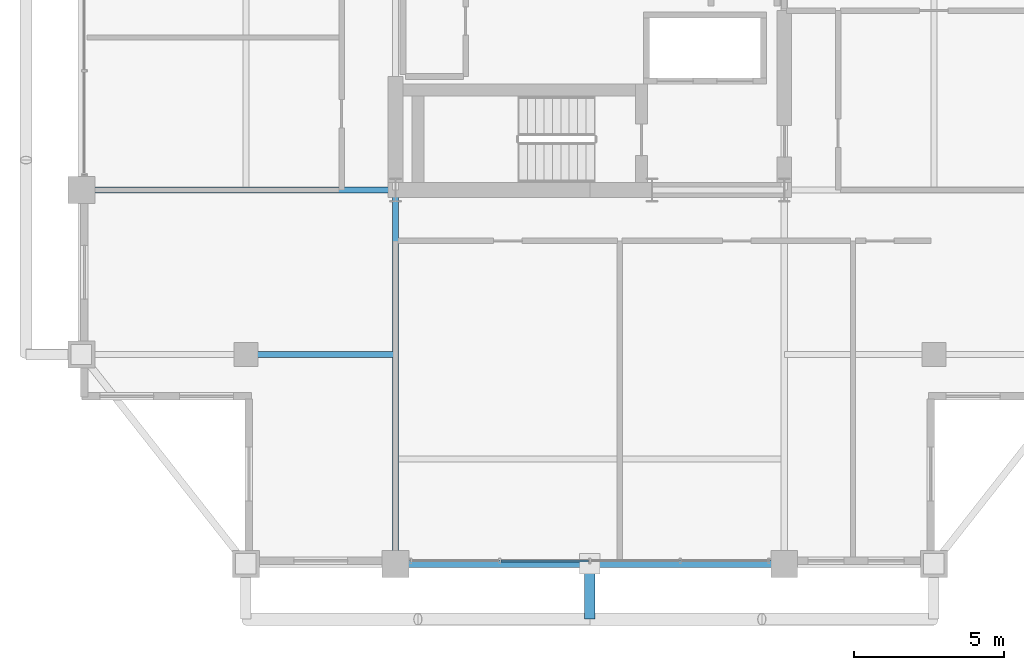
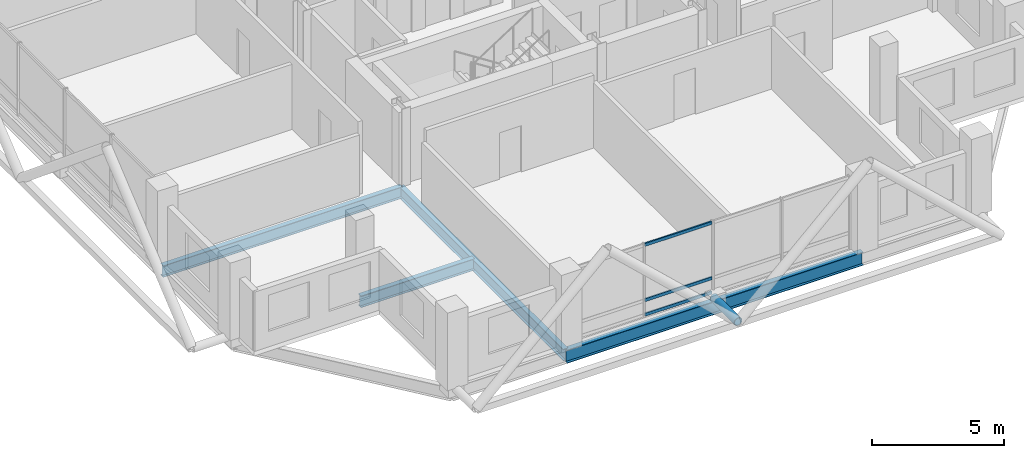
# One storey, part 4 of 24: 4 beams, 4 members, 1 element without a shape of its own.
"""IFC4 building model written with IfcOpenShell, lengths in metres."""

from ifc_helpers import new_model, si_unit, direction, frame, origin, origin_2d, place, context, subcontext, project, spatial, hollow_rectangle, hollow_circle, i_section, extrude, material, layer, layer_set, material_profile, profile_set, type_object, element, aggregate, save


model = new_model("IFC4")

# Units and contexts
model_context = context("Model", 3, precision=1e-05, world=origin(), true_north=direction((0.0, 1.0)))
body_context = subcontext(model_context, "Body", "Model", "MODEL_VIEW")
ifc_project = project(units=[si_unit("LENGTHUNIT", "METRE"), si_unit("AREAUNIT", "SQUARE_METRE"), si_unit("VOLUMEUNIT", "CUBIC_METRE"), si_unit("PLANEANGLEUNIT", "RADIAN"), si_unit("MASSUNIT", "GRAM", prefix="KILO")], contexts=[model_context])

# Site, building, storey
site_placement = place(None, origin())
site = spatial("IfcSite", under=ifc_project, at=site_placement, CompositionType="ELEMENT")
building_placement = place(site_placement, origin())
building = spatial("IfcBuilding", under=site, at=building_placement, Name="Barlavira Tower and Art Museum", CompositionType="ELEMENT")
storey_placement = place(building_placement, frame((0.0, 0.0, 272.699951171875)))
storey = spatial("IfcBuildingStorey", under=building, at=storey_placement, Name="L71", CompositionType="ELEMENT", Elevation=272.699951171875)

# Curtain wall, members
ifc_material_1 = material(Name="Low-iron coastal laminated glass", Category="glass")
ifc_layer = layer(ifc_material_1, 0.2099609375, Name="Low-iron coastal laminated glass")
ifc_layer_set = layer_set([ifc_layer], Name="Low-iron coastal laminated glass")
curtain_wall_type = type_object("IfcCurtainWallType", Name="Pale-Metal Unitised Curtain Wall Zone 4", PredefinedType="NOTDEFINED", material=ifc_layer_set)
curtain_wall_placement = place(storey_placement, origin())
curtain_wall = element("IfcCurtainWall", 1, at=curtain_wall_placement, inside=storey, type_object=curtain_wall_type, Name="L71 Curtain Wall CW4-L71-S-B2", PredefinedType="NOTDEFINED")
ifc_material_2 = material(Name="Pale anodised aluminium", Category="aluminium")
ifc_material_profile_1 = material_profile(ifc_material_2, hollow_rectangle(XDim=0.06494140625, YDim=0.139892578125, WallThickness=0.00390625, at=origin_2d()), Name="ALU-TRAN 65x140x4")
ifc_profile_set_1 = profile_set([ifc_material_profile_1], Name="Pale anodised aluminium")
member_type_1 = type_object("IfcMemberType", Name="Curtain Wall Pale-Metal Transom 65x140", PredefinedType="USERDEFINED", material=ifc_profile_set_1)
member_1_placement = place(storey_placement, frame((-2.969970703125, -19.89990234375, 0.070068359375), z_axis=(1.0, 0.0, 0.0), x_axis=(0.0, 1.0, 0.0)))
member_1 = element("IfcMember", 2, at=member_1_placement, type_object=member_type_1, Name="CW4-L71-S-B2 Transom 1.1", ObjectType="TRANSOM", PredefinedType="USERDEFINED", context=body_context, shape_type="SweptSolid", body=[
    extrude(hollow_rectangle(XDim=0.06494140625, YDim=0.139892578125, WallThickness=0.00390625, at=origin_2d()), origin(), (0.0, 0.0, 1.0), 2.925048828125),
])
member_2_placement = place(storey_placement, frame((-2.969970703125, -19.89990234375, 0.744140625), z_axis=(1.0, 0.0, 0.0), x_axis=(0.0, 1.0, 0.0)))
member_2 = element("IfcMember", 3, at=member_2_placement, type_object=member_type_1, Name="CW4-L71-S-B2 Transom 1.2", ObjectType="TRANSOM", PredefinedType="USERDEFINED", context=body_context, shape_type="SweptSolid", body=[
    extrude(hollow_rectangle(XDim=0.06494140625, YDim=0.139892578125, WallThickness=0.00390625, at=origin_2d()), origin(), (0.0, 0.0, 1.0), 2.925048828125),
])
member_3_placement = place(storey_placement, frame((-2.969970703125, -19.89990234375, 3.31005859375), z_axis=(1.0, 0.0, 0.0), x_axis=(0.0, 1.0, 0.0)))
member_3 = element("IfcMember", 4, at=member_3_placement, type_object=member_type_1, Name="CW4-L71-S-B2 Transom 1.3", ObjectType="TRANSOM", PredefinedType="USERDEFINED", context=body_context, shape_type="SweptSolid", body=[
    extrude(hollow_rectangle(XDim=0.06494140625, YDim=0.139892578125, WallThickness=0.00390625, at=origin_2d()), origin(), (0.0, 0.0, 1.0), 2.925048828125),
])
aggregate(curtain_wall, [member_1, member_2, member_3])

# Member
ifc_material_3 = material(Name="Steel S355", Category="steel")
ifc_material_profile_2 = material_profile(ifc_material_3, hollow_circle(Radius=0.177734375, WallThickness=0.01611328125, at=origin_2d()), Name="CHS 355.6x16.0")
ifc_profile_set_2 = profile_set([ifc_material_profile_2], Name="Steel S355")
member_type_2 = type_object("IfcMemberType", Name="Pale-Metal Exoskeleton Tie Strut CHS 356x16 Steel S355", PredefinedType="STRUT", material=ifc_profile_set_2)
member_4_placement = place(storey_placement, frame((0.0, -21.85009765625, -0.119873046875), z_axis=(0.0, 1.0, 0.0), x_axis=(-1.0, 0.0, 0.0)))
element("IfcMember", 5, at=member_4_placement, inside=storey, type_object=member_type_2, Name="L71 Exoskeleton Tie Strut S2", PredefinedType="STRUT", context=body_context, shape_type="SweptSolid", body=[
    extrude(hollow_circle(Radius=0.177734375, WallThickness=0.01611328125, at=origin_2d()), origin(), (0.0, 0.0, 1.0), 1.85009765625),
])

# Beams
ifc_material_profile_3 = material_profile(ifc_material_3, i_section(OverallWidth=0.22998046875, OverallDepth=0.616943359375, WebThickness=0.01318359375, FlangeThickness=0.022216796875, at=origin_2d()), Name="W610x140.0")
ifc_profile_set_3 = profile_set([ifc_material_profile_3], Name="Steel S355")
beam_type_1 = type_object("IfcBeamType", Name="Upper Shaft Spandrel Edge Beam W610x140 Steel S355", PredefinedType="SPANDREL", material=ifc_profile_set_3)
beam_1_placement = place(storey_placement, frame((-6.5, -20.0, -0.528564453125), z_axis=(1.0, 0.0, 0.0), x_axis=(0.0, 1.0, 0.0)))
element("IfcBeam", 6, at=beam_1_placement, inside=storey, type_object=beam_type_1, Name="L71 Spandrel 2", PredefinedType="SPANDREL", context=body_context, shape_type="SweptSolid", body=[
    extrude(i_section(OverallWidth=0.22998046875, OverallDepth=0.616943359375, WebThickness=0.01318359375, FlangeThickness=0.022216796875, at=origin_2d()), origin(), (0.0, 0.0, 1.0), 13.0),
])
ifc_material_profile_4 = material_profile(ifc_material_3, i_section(OverallWidth=0.2109375, OverallDepth=0.5390625, WebThickness=0.01171875, FlangeThickness=0.018798828125, at=origin_2d()), Name="W530x109.0")
ifc_profile_set_4 = profile_set([ifc_material_profile_4], Name="Steel S355")
beam_type_2 = type_object("IfcBeamType", Name="Zone 3-4 Primary Floor Girder W530x109 Steel S355", PredefinedType="BEAM", material=ifc_profile_set_4)
beam_2_placement = place(storey_placement, frame((-6.5, -20.0, -0.489501953125), z_axis=(0.0, 1.0, 0.0), x_axis=(-1.0, 0.0, 0.0)))
element("IfcBeam", 7, at=beam_2_placement, inside=storey, type_object=beam_type_2, Name="L71 Girder R-S1", PredefinedType="BEAM", context=body_context, shape_type="SweptSolid", body=[
    extrude(i_section(OverallWidth=0.2109375, OverallDepth=0.5390625, WebThickness=0.01171875, FlangeThickness=0.018798828125, at=origin_2d()), origin(), (0.0, 0.0, 1.0), 12.5),
])
beam_3_placement = place(storey_placement, frame((-17.0, -7.5, -0.489501953125), z_axis=(1.0, 0.0, 0.0), x_axis=(0.0, 1.0, 0.0)))
element("IfcBeam", 8, at=beam_3_placement, inside=storey, type_object=beam_type_2, Name="L71 Girder R-W1", PredefinedType="BEAM", context=body_context, shape_type="SweptSolid", body=[
    extrude(i_section(OverallWidth=0.2109375, OverallDepth=0.5390625, WebThickness=0.01171875, FlangeThickness=0.018798828125, at=origin_2d()), origin(), (0.0, 0.0, 1.0), 10.5),
])
beam_4_placement = place(storey_placement, frame((-11.5, -13.0, -0.489501953125), z_axis=(1.0, 0.0, 0.0), x_axis=(0.0, 1.0, 0.0)))
element("IfcBeam", 9, at=beam_4_placement, inside=storey, type_object=beam_type_2, Name="L71 Girder I-S2", PredefinedType="BEAM", context=body_context, shape_type="SweptSolid", body=[
    extrude(i_section(OverallWidth=0.2109375, OverallDepth=0.5390625, WebThickness=0.01171875, FlangeThickness=0.018798828125, at=origin_2d()), origin(), (0.0, 0.0, 1.0), 5.0),
])

save(model, "model.ifc")
